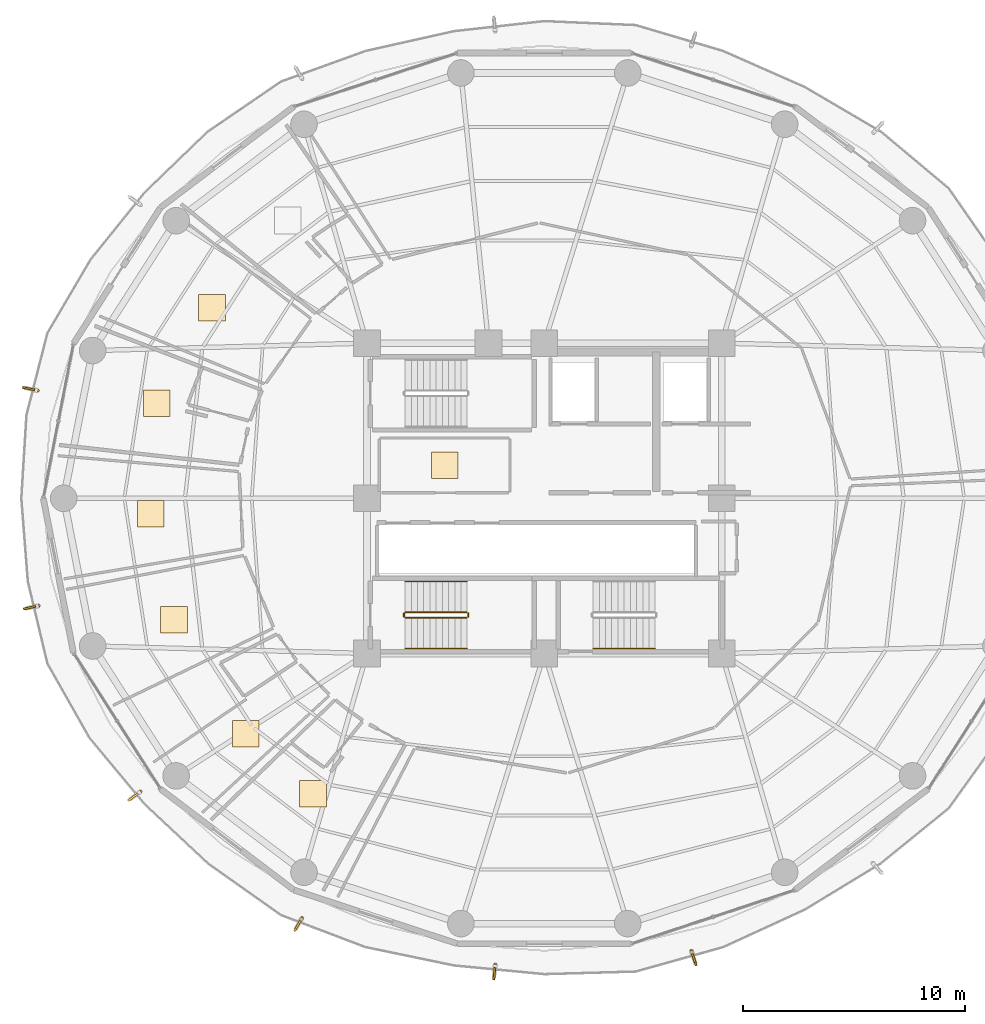
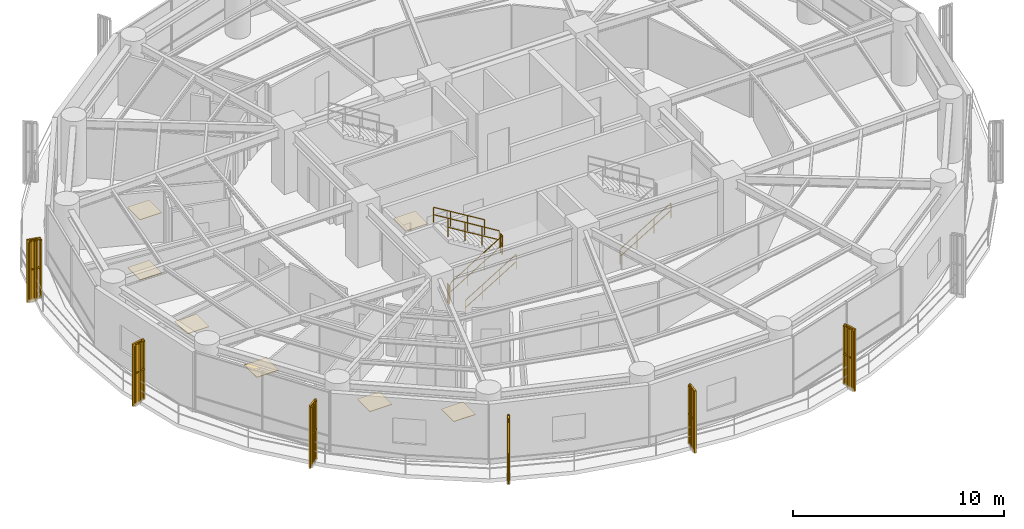
# One storey, part 26 of 28: 13 railings, 7 coverings, 6 shading devices.
"""IFC4 building model written with IfcOpenShell, lengths in metres."""

from ifc_helpers import new_model, si_unit, direction, frame, origin, origin_2d, place, context, subcontext, project, spatial, polyline, rectangle, outline, extrude, source, transform, mapped, material, layer, layer_set, type_object, element, save


model = new_model("IFC4")

# Units and contexts
model_context = context("Model", 3, precision=1e-05, world=origin(), true_north=direction((0.0, 1.0)))
body_context = subcontext(model_context, "Body", "Model", "MODEL_VIEW")
ifc_project = project(units=[si_unit("LENGTHUNIT", "METRE"), si_unit("AREAUNIT", "SQUARE_METRE"), si_unit("VOLUMEUNIT", "CUBIC_METRE"), si_unit("PLANEANGLEUNIT", "RADIAN"), si_unit("MASSUNIT", "GRAM", prefix="KILO")], contexts=[model_context])

# Site, building, storey
site_placement = place(None, origin())
site = spatial("IfcSite", under=ifc_project, at=site_placement, CompositionType="ELEMENT")
building_placement = place(site_placement, origin())
building = spatial("IfcBuilding", under=site, at=building_placement, Name="Kelanora Arch Commons", CompositionType="ELEMENT")
storey_placement = place(building_placement, frame((0.0, 0.0, 158.10009765625)))
storey = spatial("IfcBuildingStorey", under=building, at=storey_placement, Name="L40", CompositionType="ELEMENT", Elevation=158.10009765625)

# Railings
ifc_material_1 = material(Name="Anodised bronze vertical shading fin rib assembly")
railing_type_1 = type_object("IfcRailingType", Name="RAIL-FIN-BRZ", PredefinedType="BALUSTRADE", material=ifc_material_1)
railing_1_placement = place(storey_placement, frame((51.149658203125, 62.85693359375, -0.02001953125)))
element("IfcRailing", 1, at=railing_1_placement, inside=storey, type_object=railing_type_1, Name="Sweeping Bronze Vertical Fin Blade L40-07", PredefinedType="BALUSTRADE", context=body_context, shape_type="SweptSolid", body=[
    extrude(outline(polyline([(0.06982421875, 0.0), (0.034912109375, 0.060546875), (-0.034912109375, 0.060546875), (-0.06982421875, 0.0), (-0.034912109375, -0.060546875), (0.034912109375, -0.060546875), (0.06982421875, 0.0)])), frame((0.0, 0.0, 3.419921875), z_axis=(-0.978151112712, 0.207895167575, 0.0), x_axis=(-0.207895167575, -0.978151112712, 0.0)), (0.0, 0.0, 1.0), 0.561279296875),
    extrude(outline(polyline([(0.06982421875, 0.0), (0.034912109375, 0.060546875), (-0.034912109375, 0.060546875), (-0.06982421875, 0.0), (-0.034912109375, -0.060546875), (0.034912109375, -0.060546875), (0.06982421875, 0.0)])), frame((0.0, 0.0, 1.7451171875), z_axis=(-0.978151112712, 0.207895167575, 0.0), x_axis=(-0.207895167575, -0.978151112712, 0.0)), (0.0, 0.0, 1.0), 0.561279296875),
    extrude(outline(polyline([(0.080078125, 0.0), (0.0400390625, 0.0693359375), (-0.0400390625, 0.0693359375), (-0.080078125, 0.0), (-0.0400390625, -0.0693359375), (0.0400390625, -0.0693359375), (0.080078125, 0.0)])), origin(), (0.0, 0.0, 1.0), 3.35009765625),
    extrude(outline(polyline([(0.080078125, 0.0), (0.0400390625, 0.0693359375), (-0.0400390625, 0.0693359375), (-0.080078125, 0.0), (-0.0400390625, -0.0693359375), (0.0400390625, -0.0693359375), (0.080078125, 0.0)])), frame((-0.2744140625, 0.058349609375, 0.0)), (0.0, 0.0, 1.0), 3.35009765625),
    extrude(outline(polyline([(0.080078125, 0.0), (0.0400390625, 0.0693359375), (-0.0400390625, 0.0693359375), (-0.080078125, 0.0), (-0.0400390625, -0.0693359375), (0.0400390625, -0.0693359375), (0.080078125, 0.0)])), frame((-0.549072265625, 0.11669921875, 0.0)), (0.0, 0.0, 1.0), 3.35009765625),
])
railing_2_placement = place(storey_placement, frame((51.19189453125, 53.152099609375, -0.02001953125)))
element("IfcRailing", 2, at=railing_2_placement, inside=storey, type_object=railing_type_1, Name="Sweeping Bronze Vertical Fin Blade L40-08", PredefinedType="BALUSTRADE", context=body_context, shape_type="SweptSolid", body=[
    extrude(outline(polyline([(0.06982421875, 0.0), (0.034912109375, 0.060546875), (-0.034912109375, 0.060546875), (-0.06982421875, 0.0), (-0.034912109375, -0.060546875), (0.034912109375, -0.060546875), (0.06982421875, 0.0)])), frame((0.0, 0.0, 3.419921875), z_axis=(-0.978151112712, -0.207895167575, 0.0), x_axis=(0.207895167575, -0.978151112712, 0.0)), (0.0, 0.0, 1.0), 0.561279296875),
    extrude(outline(polyline([(0.06982421875, 0.0), (0.034912109375, 0.060546875), (-0.034912109375, 0.060546875), (-0.06982421875, 0.0), (-0.034912109375, -0.060546875), (0.034912109375, -0.060546875), (0.06982421875, 0.0)])), frame((0.0, 0.0, 1.7451171875), z_axis=(-0.978151112712, -0.207895167575, 0.0), x_axis=(0.207895167575, -0.978151112712, 0.0)), (0.0, 0.0, 1.0), 0.561279296875),
    extrude(outline(polyline([(0.080078125, 0.0), (0.0400390625, 0.0693359375), (-0.0400390625, 0.0693359375), (-0.080078125, 0.0), (-0.0400390625, -0.0693359375), (0.0400390625, -0.0693359375), (0.080078125, 0.0)])), origin(), (0.0, 0.0, 1.0), 3.35009765625),
    extrude(outline(polyline([(0.080078125, 0.0), (0.0400390625, 0.0693359375), (-0.0400390625, 0.0693359375), (-0.080078125, 0.0), (-0.0400390625, -0.0693359375), (0.0400390625, -0.0693359375), (0.080078125, 0.0)])), frame((-0.2744140625, -0.058349609375, 0.0)), (0.0, 0.0, 1.0), 3.35009765625),
    extrude(outline(polyline([(0.080078125, 0.0), (0.0400390625, 0.0693359375), (-0.0400390625, 0.0693359375), (-0.080078125, 0.0), (-0.0400390625, -0.0693359375), (0.0400390625, -0.0693359375), (0.080078125, 0.0)])), frame((-0.549072265625, -0.11669921875, 0.0)), (0.0, 0.0, 1.0), 3.35009765625),
])
railing_3_placement = place(storey_placement, frame((55.786865234375, 44.767333984375, -0.02001953125)))
element("IfcRailing", 3, at=railing_3_placement, inside=storey, type_object=railing_type_1, Name="Sweeping Bronze Vertical Fin Blade L40-09", PredefinedType="BALUSTRADE", context=body_context, shape_type="SweptSolid", body=[
    extrude(outline(polyline([(0.06982421875, 0.0), (0.034912109375, 0.060546875), (-0.034912109375, 0.060546875), (-0.06982421875, 0.0), (-0.034912109375, -0.060546875), (0.034912109375, -0.060546875), (0.06982421875, 0.0)])), frame((0.0, 0.0, 3.419921875), z_axis=(-0.809093337457, -0.587680160702, 0.0), x_axis=(0.587680160702, -0.809093337457, 0.0)), (0.0, 0.0, 1.0), 0.561279296875),
    extrude(outline(polyline([(0.06982421875, 0.0), (0.034912109375, 0.060546875), (-0.034912109375, 0.060546875), (-0.06982421875, 0.0), (-0.034912109375, -0.060546875), (0.034912109375, -0.060546875), (0.06982421875, 0.0)])), frame((0.0, 0.0, 1.7451171875), z_axis=(-0.809093337457, -0.587680160702, 0.0), x_axis=(0.587680160702, -0.809093337457, 0.0)), (0.0, 0.0, 1.0), 0.561279296875),
    extrude(outline(polyline([(0.080078125, 0.0), (0.0400390625, 0.0693359375), (-0.0400390625, 0.0693359375), (-0.080078125, 0.0), (-0.0400390625, -0.0693359375), (0.0400390625, -0.0693359375), (0.080078125, 0.0)])), origin(), (0.0, 0.0, 1.0), 3.35009765625),
    extrude(outline(polyline([(0.080078125, 0.0), (0.0400390625, 0.0693359375), (-0.0400390625, 0.0693359375), (-0.080078125, 0.0), (-0.0400390625, -0.0693359375), (0.0400390625, -0.0693359375), (0.080078125, 0.0)])), frame((-0.22705078125, -0.1650390625, 0.0)), (0.0, 0.0, 1.0), 3.35009765625),
    extrude(outline(polyline([(0.080078125, 0.0), (0.0400390625, 0.0693359375), (-0.0400390625, 0.0693359375), (-0.080078125, 0.0), (-0.0400390625, -0.0693359375), (0.0400390625, -0.0693359375), (0.080078125, 0.0)])), frame((-0.4541015625, -0.329833984375, 0.0)), (0.0, 0.0, 1.0), 3.35009765625),
])
railing_4_placement = place(storey_placement, frame((63.073974609375, 39.075439453125, -0.02001953125)))
element("IfcRailing", 4, at=railing_4_placement, inside=storey, type_object=railing_type_1, Name="Sweeping Bronze Vertical Fin Blade L40-10", PredefinedType="BALUSTRADE", context=body_context, shape_type="SweptSolid", body=[
    extrude(outline(polyline([(0.06982421875, 0.0), (0.034912109375, 0.060546875), (-0.034912109375, 0.060546875), (-0.06982421875, 0.0), (-0.034912109375, -0.060546875), (0.034912109375, -0.060546875), (0.06982421875, 0.0)])), frame((0.0, 0.0, 3.419921875), z_axis=(-0.499973348067, -0.866040790738, 0.0), x_axis=(0.866040790738, -0.499973348067, 0.0)), (0.0, 0.0, 1.0), 0.5615234375),
    extrude(outline(polyline([(0.06982421875, 0.0), (0.034912109375, 0.060546875), (-0.034912109375, 0.060546875), (-0.06982421875, 0.0), (-0.034912109375, -0.060546875), (0.034912109375, -0.060546875), (0.06982421875, 0.0)])), frame((0.0, 0.0, 1.7451171875), z_axis=(-0.499973348067, -0.866040790738, 0.0), x_axis=(0.866040790738, -0.499973348067, 0.0)), (0.0, 0.0, 1.0), 0.5615234375),
    extrude(outline(polyline([(0.080078125, 0.0), (0.0400390625, 0.0693359375), (-0.0400390625, 0.0693359375), (-0.080078125, 0.0), (-0.0400390625, -0.0693359375), (0.0400390625, -0.0693359375), (0.080078125, 0.0)])), origin(), (0.0, 0.0, 1.0), 3.35009765625),
    extrude(outline(polyline([(0.080078125, 0.0), (0.0400390625, 0.0693359375), (-0.0400390625, 0.0693359375), (-0.080078125, 0.0), (-0.0400390625, -0.0693359375), (0.0400390625, -0.0693359375), (0.080078125, 0.0)])), frame((-0.140380859375, -0.2431640625, 0.0)), (0.0, 0.0, 1.0), 3.35009765625),
    extrude(outline(polyline([(0.080078125, 0.0), (0.0400390625, 0.0693359375), (-0.0400390625, 0.0693359375), (-0.080078125, 0.0), (-0.0400390625, -0.0693359375), (0.0400390625, -0.0693359375), (0.080078125, 0.0)])), frame((-0.28076171875, -0.486328125, 0.0)), (0.0, 0.0, 1.0), 3.35009765625),
])
railing_5_placement = place(storey_placement, frame((71.7900390625, 36.9736328125, -0.02001953125)))
element("IfcRailing", 5, at=railing_5_placement, inside=storey, type_object=railing_type_1, Name="Sweeping Bronze Vertical Fin Blade L40-11", PredefinedType="BALUSTRADE", context=body_context, shape_type="SweptSolid", body=[
    extrude(outline(polyline([(0.06982421875, 0.0), (0.034912109375, 0.060546875), (-0.034912109375, 0.060546875), (-0.06982421875, 0.0), (-0.034912109375, -0.060546875), (0.034912109375, -0.060546875), (0.06982421875, 0.0)])), frame((0.0, 0.0, 3.419921875), z_axis=(-0.104367863089, -0.994538762017, 0.0), x_axis=(0.994538762017, -0.104367863089, 0.0)), (0.0, 0.0, 1.0), 0.5615234375),
    extrude(outline(polyline([(0.06982421875, 0.0), (0.034912109375, 0.060546875), (-0.034912109375, 0.060546875), (-0.06982421875, 0.0), (-0.034912109375, -0.060546875), (0.034912109375, -0.060546875), (0.06982421875, 0.0)])), frame((0.0, 0.0, 1.7451171875), z_axis=(-0.104367863089, -0.994538762017, 0.0), x_axis=(0.994538762017, -0.104367863089, 0.0)), (0.0, 0.0, 1.0), 0.5615234375),
    extrude(outline(polyline([(0.080078125, 0.0), (0.0400390625, 0.0693359375), (-0.0400390625, 0.0693359375), (-0.080078125, 0.0), (-0.0400390625, -0.0693359375), (0.0400390625, -0.0693359375), (0.080078125, 0.0)])), origin(), (0.0, 0.0, 1.0), 3.35009765625),
    extrude(outline(polyline([(0.080078125, 0.0), (0.0400390625, 0.0693359375), (-0.0400390625, 0.0693359375), (-0.080078125, 0.0), (-0.0400390625, -0.0693359375), (0.0400390625, -0.0693359375), (0.080078125, 0.0)])), frame((-0.029296875, -0.279296875, 0.0)), (0.0, 0.0, 1.0), 3.35009765625),
    extrude(outline(polyline([(0.080078125, 0.0), (0.0400390625, 0.0693359375), (-0.0400390625, 0.0693359375), (-0.080078125, 0.0), (-0.0400390625, -0.0693359375), (0.0400390625, -0.0693359375), (0.080078125, 0.0)])), frame((-0.05859375, -0.558349609375, 0.0)), (0.0, 0.0, 1.0), 3.35009765625),
])
railing_6_placement = place(storey_placement, frame((80.632568359375, 37.587158203125, -0.02001953125)))
element("IfcRailing", 6, at=railing_6_placement, inside=storey, type_object=railing_type_1, Name="Sweeping Bronze Vertical Fin Blade L40-12", PredefinedType="BALUSTRADE", context=body_context, shape_type="SweptSolid", body=[
    extrude(outline(polyline([(0.06982421875, 0.0), (0.034912109375, 0.060546875), (-0.034912109375, 0.060546875), (-0.06982421875, 0.0), (-0.034912109375, -0.060546875), (0.034912109375, -0.060546875), (0.06982421875, 0.0)])), frame((0.0, 0.0, 3.419921875), z_axis=(0.308781206343, -0.951133096159, 0.0), x_axis=(0.951133096159, 0.308781206343, 0.0)), (0.0, 0.0, 1.0), 0.561279296875),
    extrude(outline(polyline([(0.06982421875, 0.0), (0.034912109375, 0.060546875), (-0.034912109375, 0.060546875), (-0.06982421875, 0.0), (-0.034912109375, -0.060546875), (0.034912109375, -0.060546875), (0.06982421875, 0.0)])), frame((0.0, 0.0, 1.7451171875), z_axis=(0.308781206343, -0.951133096159, 0.0), x_axis=(0.951133096159, 0.308781206343, 0.0)), (0.0, 0.0, 1.0), 0.561279296875),
    extrude(outline(polyline([(0.080078125, 0.0), (0.0400390625, 0.0693359375), (-0.0400390625, 0.0693359375), (-0.080078125, 0.0), (-0.0400390625, -0.0693359375), (0.0400390625, -0.0693359375), (0.080078125, 0.0)])), origin(), (0.0, 0.0, 1.0), 3.35009765625),
    extrude(outline(polyline([(0.080078125, 0.0), (0.0400390625, 0.0693359375), (-0.0400390625, 0.0693359375), (-0.080078125, 0.0), (-0.0400390625, -0.0693359375), (0.0400390625, -0.0693359375), (0.080078125, 0.0)])), frame((0.086669921875, -0.26708984375, 0.0)), (0.0, 0.0, 1.0), 3.35009765625),
    extrude(outline(polyline([(0.080078125, 0.0), (0.0400390625, 0.0693359375), (-0.0400390625, 0.0693359375), (-0.080078125, 0.0), (-0.0400390625, -0.0693359375), (0.0400390625, -0.0693359375), (0.080078125, 0.0)])), frame((0.17333984375, -0.533935546875, 0.0)), (0.0, 0.0, 1.0), 3.35009765625),
])
ifc_material_2 = material(Name="Painted steel stair well guard", Category="steel")
railing_type_2 = type_object("IfcRailingType", Name="RAIL-STAIR-GRD", PredefinedType="GUARDRAIL", material=ifc_material_2)
railing_7_placement = place(storey_placement, frame((67.719970703125, 52.610107421875, 0.17041015625)))
element("IfcRailing", 7, at=railing_7_placement, inside=storey, type_object=railing_type_2, Name="L40 ST-T3 stair guard 1", PredefinedType="GUARDRAIL", context=body_context, shape_type="SweptSolid", body=[
    extrude(outline(polyline([(0.02392578125, 0.0), (0.011962890625, 0.020751953125), (-0.011962890625, 0.020751953125), (-0.02392578125, 0.0), (-0.011962890625, -0.020751953125), (0.011962890625, -0.020751953125), (0.02392578125, 0.0)])), frame((0.0, 0.0, 1.076171875), z_axis=(0.854169791009, 0.0, 0.51999420009), x_axis=(0.0, 1.0, 0.0)), (0.0, 0.0, 1.0), 3.278076171875),
    extrude(outline(polyline([(0.02392578125, 0.0), (0.011962890625, 0.020751953125), (-0.011962890625, 0.020751953125), (-0.02392578125, 0.0), (-0.011962890625, -0.020751953125), (0.011962890625, -0.020751953125), (0.02392578125, 0.0)])), frame((0.0, 0.0, 0.550048828125), z_axis=(0.854169791009, 0.0, 0.51999420009), x_axis=(0.0, 1.0, 0.0)), (0.0, 0.0, 1.0), 3.278076171875),
    extrude(outline(polyline([(0.02099609375, 0.0), (0.010498046875, 0.01806640625), (-0.010498046875, 0.01806640625), (-0.02099609375, 0.0), (-0.010498046875, -0.01806640625), (0.010498046875, -0.01806640625), (0.02099609375, 0.0)])), origin(), (0.0, 0.0, 1.0), 1.052001953125),
    extrude(outline(polyline([(0.02099609375, 0.0), (0.010498046875, 0.01806640625), (-0.010498046875, 0.01806640625), (-0.02099609375, 0.0), (-0.010498046875, -0.01806640625), (0.010498046875, -0.01806640625), (0.02099609375, 0.0)])), frame((0.933349609375, 0.0, 0.568115234375)), (0.0, 0.0, 1.0), 1.052001953125),
    extrude(outline(polyline([(0.02099609375, 0.0), (0.010498046875, 0.01806640625), (-0.010498046875, 0.01806640625), (-0.02099609375, 0.0), (-0.010498046875, -0.01806640625), (0.010498046875, -0.01806640625), (0.02099609375, 0.0)])), frame((1.86669921875, 0.0, 1.136474609375)), (0.0, 0.0, 1.0), 1.052001953125),
    extrude(outline(polyline([(0.02099609375, 0.0), (0.010498046875, 0.01806640625), (-0.010498046875, 0.01806640625), (-0.02099609375, 0.0), (-0.010498046875, -0.01806640625), (0.010498046875, -0.01806640625), (0.02099609375, 0.0)])), frame((2.800048828125, 0.0, 1.70458984375)), (0.0, 0.0, 1.0), 1.052001953125),
])
railing_8_placement = place(storey_placement, frame((70.570068359375, 52.659912109375, 1.875)))
element("IfcRailing", 8, at=railing_8_placement, inside=storey, type_object=railing_type_2, Name="L40 ST-T3 stair guard 2", PredefinedType="GUARDRAIL", context=body_context, shape_type="SweptSolid", body=[
    extrude(outline(polyline([(0.02392578125, 0.0), (0.011962890625, 0.020751953125), (-0.011962890625, 0.020751953125), (-0.02392578125, 0.0), (-0.011962890625, -0.020751953125), (0.011962890625, -0.020751953125), (0.02392578125, 0.0)])), frame((0.0, 0.0, 1.076171875), z_axis=(0.0, 1.0, 0.0), x_axis=(-1.0, 0.0, 0.0)), (0.0, 0.0, 1.0), 0.150146484375),
    extrude(outline(polyline([(0.02392578125, 0.0), (0.011962890625, 0.020751953125), (-0.011962890625, 0.020751953125), (-0.02392578125, 0.0), (-0.011962890625, -0.020751953125), (0.011962890625, -0.020751953125), (0.02392578125, 0.0)])), frame((0.0, 0.0, 0.550048828125), z_axis=(0.0, 1.0, 0.0), x_axis=(-1.0, 0.0, 0.0)), (0.0, 0.0, 1.0), 0.150146484375),
    extrude(outline(polyline([(0.02099609375, 0.0), (0.010498046875, 0.01806640625), (-0.010498046875, 0.01806640625), (-0.02099609375, 0.0), (-0.010498046875, -0.01806640625), (0.010498046875, -0.01806640625), (0.02099609375, 0.0)])), origin(), (0.0, 0.0, 1.0), 1.052001953125),
    extrude(outline(polyline([(0.02099609375, 0.0), (0.010498046875, 0.01806640625), (-0.010498046875, 0.01806640625), (-0.02099609375, 0.0), (-0.010498046875, -0.01806640625), (0.010498046875, -0.01806640625), (0.02099609375, 0.0)])), frame((0.0, 0.150146484375, 0.0)), (0.0, 0.0, 1.0), 1.052001953125),
])
railing_9_placement = place(storey_placement, frame((70.52001953125, 52.860107421875, 2.04541015625)))
element("IfcRailing", 9, at=railing_9_placement, inside=storey, type_object=railing_type_2, Name="L40 ST-T3 stair guard 3", PredefinedType="GUARDRAIL", context=body_context, shape_type="SweptSolid", body=[
    extrude(outline(polyline([(0.02392578125, 0.0), (0.011962890625, 0.020751953125), (-0.011962890625, 0.020751953125), (-0.02392578125, 0.0), (-0.011962890625, -0.020751953125), (0.011962890625, -0.020751953125), (0.02392578125, 0.0)])), frame((0.0, 0.0, 1.076171875), z_axis=(-0.854169791009, 0.0, 0.51999420009), x_axis=(0.0, -1.0, 0.0)), (0.0, 0.0, 1.0), 3.278076171875),
    extrude(outline(polyline([(0.02392578125, 0.0), (0.011962890625, 0.020751953125), (-0.011962890625, 0.020751953125), (-0.02392578125, 0.0), (-0.011962890625, -0.020751953125), (0.011962890625, -0.020751953125), (0.02392578125, 0.0)])), frame((0.0, 0.0, 0.550048828125), z_axis=(-0.854169791009, 0.0, 0.51999420009), x_axis=(0.0, -1.0, 0.0)), (0.0, 0.0, 1.0), 3.278076171875),
    extrude(outline(polyline([(0.02099609375, 0.0), (0.010498046875, 0.01806640625), (-0.010498046875, 0.01806640625), (-0.02099609375, 0.0), (-0.010498046875, -0.01806640625), (0.010498046875, -0.01806640625), (0.02099609375, 0.0)])), origin(), (0.0, 0.0, 1.0), 1.052001953125),
    extrude(outline(polyline([(0.02099609375, 0.0), (0.010498046875, 0.01806640625), (-0.010498046875, 0.01806640625), (-0.02099609375, 0.0), (-0.010498046875, -0.01806640625), (0.010498046875, -0.01806640625), (0.02099609375, 0.0)])), frame((-0.933349609375, 0.0, 0.568115234375)), (0.0, 0.0, 1.0), 1.052001953125),
    extrude(outline(polyline([(0.02099609375, 0.0), (0.010498046875, 0.01806640625), (-0.010498046875, 0.01806640625), (-0.02099609375, 0.0), (-0.010498046875, -0.01806640625), (0.010498046875, -0.01806640625), (0.02099609375, 0.0)])), frame((-1.86669921875, 0.0, 1.136474609375)), (0.0, 0.0, 1.0), 1.052001953125),
    extrude(outline(polyline([(0.02099609375, 0.0), (0.010498046875, 0.01806640625), (-0.010498046875, 0.01806640625), (-0.02099609375, 0.0), (-0.010498046875, -0.01806640625), (0.010498046875, -0.01806640625), (0.02099609375, 0.0)])), frame((-2.800048828125, 0.0, 1.70458984375)), (0.0, 0.0, 1.0), 1.052001953125),
])
railing_10_placement = place(storey_placement, frame((67.669921875, 52.659912109375, 0.0)))
element("IfcRailing", 10, at=railing_10_placement, inside=storey, type_object=railing_type_2, Name="L40 ST-T3 stair guard 4", PredefinedType="GUARDRAIL", context=body_context, shape_type="SweptSolid", body=[
    extrude(outline(polyline([(0.02392578125, 0.0), (0.011962890625, 0.020751953125), (-0.011962890625, 0.020751953125), (-0.02392578125, 0.0), (-0.011962890625, -0.020751953125), (0.011962890625, -0.020751953125), (0.02392578125, 0.0)])), frame((0.0, 0.0, 1.076171875), z_axis=(0.0, 1.0, 0.0), x_axis=(-1.0, 0.0, 0.0)), (0.0, 0.0, 1.0), 0.150146484375),
    extrude(outline(polyline([(0.02392578125, 0.0), (0.011962890625, 0.020751953125), (-0.011962890625, 0.020751953125), (-0.02392578125, 0.0), (-0.011962890625, -0.020751953125), (0.011962890625, -0.020751953125), (0.02392578125, 0.0)])), frame((0.0, 0.0, 0.550048828125), z_axis=(0.0, 1.0, 0.0), x_axis=(-1.0, 0.0, 0.0)), (0.0, 0.0, 1.0), 0.150146484375),
    extrude(outline(polyline([(0.02099609375, 0.0), (0.010498046875, 0.01806640625), (-0.010498046875, 0.01806640625), (-0.02099609375, 0.0), (-0.010498046875, -0.01806640625), (0.010498046875, -0.01806640625), (0.02099609375, 0.0)])), origin(), (0.0, 0.0, 1.0), 1.052001953125),
    extrude(outline(polyline([(0.02099609375, 0.0), (0.010498046875, 0.01806640625), (-0.010498046875, 0.01806640625), (-0.02099609375, 0.0), (-0.010498046875, -0.01806640625), (0.010498046875, -0.01806640625), (0.02099609375, 0.0)])), frame((0.0, 0.150146484375, 0.0)), (0.0, 0.0, 1.0), 1.052001953125),
])
ifc_material_3 = material(Name="Brushed stainless steel stair handrail", Category="steel")
railing_type_3 = type_object("IfcRailingType", Name="RAIL-STAIR-HND", PredefinedType="HANDRAIL", material=ifc_material_3)
railing_11_placement = place(storey_placement, frame((76.199951171875, 51.22998046875, 0.17041015625)))
element("IfcRailing", 11, at=railing_11_placement, inside=storey, type_object=railing_type_3, Name="L40 ST-T2 stair handrail 1", PredefinedType="HANDRAIL", context=body_context, shape_type="SweptSolid", body=[
    extrude(outline(polyline([(0.02392578125, 0.0), (0.011962890625, 0.020751953125), (-0.011962890625, 0.020751953125), (-0.02392578125, 0.0), (-0.011962890625, -0.020751953125), (0.011962890625, -0.020751953125), (0.02392578125, 0.0)])), frame((0.0, 0.0, 0.8759765625), z_axis=(0.854169791009, 0.0, 0.51999420009), x_axis=(0.0, 1.0, 0.0)), (0.0, 0.0, 1.0), 3.278076171875),
    extrude(outline(polyline([(0.02392578125, 0.0), (0.011962890625, 0.020751953125), (-0.011962890625, 0.020751953125), (-0.02392578125, 0.0), (-0.011962890625, -0.020751953125), (0.011962890625, -0.020751953125), (0.02392578125, 0.0)])), frame((0.0, 0.0, 0.449951171875), z_axis=(0.854169791009, 0.0, 0.51999420009), x_axis=(0.0, 1.0, 0.0)), (0.0, 0.0, 1.0), 3.278076171875),
    extrude(outline(polyline([(0.02099609375, 0.0), (0.010498046875, 0.01806640625), (-0.010498046875, 0.01806640625), (-0.02099609375, 0.0), (-0.010498046875, -0.01806640625), (0.010498046875, -0.01806640625), (0.02099609375, 0.0)])), origin(), (0.0, 0.0, 1.0), 0.851806640625),
    extrude(outline(polyline([(0.02099609375, 0.0), (0.010498046875, 0.01806640625), (-0.010498046875, 0.01806640625), (-0.02099609375, 0.0), (-0.010498046875, -0.01806640625), (0.010498046875, -0.01806640625), (0.02099609375, 0.0)])), frame((0.933349609375, 0.0, 0.568115234375)), (0.0, 0.0, 1.0), 0.851806640625),
    extrude(outline(polyline([(0.02099609375, 0.0), (0.010498046875, 0.01806640625), (-0.010498046875, 0.01806640625), (-0.02099609375, 0.0), (-0.010498046875, -0.01806640625), (0.010498046875, -0.01806640625), (0.02099609375, 0.0)])), frame((1.86669921875, 0.0, 1.136474609375)), (0.0, 0.0, 1.0), 0.851806640625),
    extrude(outline(polyline([(0.02099609375, 0.0), (0.010498046875, 0.01806640625), (-0.010498046875, 0.01806640625), (-0.02099609375, 0.0), (-0.010498046875, -0.01806640625), (0.010498046875, -0.01806640625), (0.02099609375, 0.0)])), frame((2.800048828125, 0.0, 1.70458984375)), (0.0, 0.0, 1.0), 0.851806640625),
])
railing_12_placement = place(storey_placement, frame((67.719970703125, 51.22998046875, 0.17041015625)))
element("IfcRailing", 12, at=railing_12_placement, inside=storey, type_object=railing_type_3, Name="L40 ST-T3 stair handrail 1", PredefinedType="HANDRAIL", context=body_context, shape_type="SweptSolid", body=[
    extrude(outline(polyline([(0.02392578125, 0.0), (0.011962890625, 0.020751953125), (-0.011962890625, 0.020751953125), (-0.02392578125, 0.0), (-0.011962890625, -0.020751953125), (0.011962890625, -0.020751953125), (0.02392578125, 0.0)])), frame((0.0, 0.0, 0.8759765625), z_axis=(0.854169791009, 0.0, 0.51999420009), x_axis=(0.0, 1.0, 0.0)), (0.0, 0.0, 1.0), 3.278076171875),
    extrude(outline(polyline([(0.02392578125, 0.0), (0.011962890625, 0.020751953125), (-0.011962890625, 0.020751953125), (-0.02392578125, 0.0), (-0.011962890625, -0.020751953125), (0.011962890625, -0.020751953125), (0.02392578125, 0.0)])), frame((0.0, 0.0, 0.449951171875), z_axis=(0.854169791009, 0.0, 0.51999420009), x_axis=(0.0, 1.0, 0.0)), (0.0, 0.0, 1.0), 3.278076171875),
    extrude(outline(polyline([(0.02099609375, 0.0), (0.010498046875, 0.01806640625), (-0.010498046875, 0.01806640625), (-0.02099609375, 0.0), (-0.010498046875, -0.01806640625), (0.010498046875, -0.01806640625), (0.02099609375, 0.0)])), origin(), (0.0, 0.0, 1.0), 0.851806640625),
    extrude(outline(polyline([(0.02099609375, 0.0), (0.010498046875, 0.01806640625), (-0.010498046875, 0.01806640625), (-0.02099609375, 0.0), (-0.010498046875, -0.01806640625), (0.010498046875, -0.01806640625), (0.02099609375, 0.0)])), frame((0.933349609375, 0.0, 0.568115234375)), (0.0, 0.0, 1.0), 0.851806640625),
    extrude(outline(polyline([(0.02099609375, 0.0), (0.010498046875, 0.01806640625), (-0.010498046875, 0.01806640625), (-0.02099609375, 0.0), (-0.010498046875, -0.01806640625), (0.010498046875, -0.01806640625), (0.02099609375, 0.0)])), frame((1.86669921875, 0.0, 1.136474609375)), (0.0, 0.0, 1.0), 0.851806640625),
    extrude(outline(polyline([(0.02099609375, 0.0), (0.010498046875, 0.01806640625), (-0.010498046875, 0.01806640625), (-0.02099609375, 0.0), (-0.010498046875, -0.01806640625), (0.010498046875, -0.01806640625), (0.02099609375, 0.0)])), frame((2.800048828125, 0.0, 1.70458984375)), (0.0, 0.0, 1.0), 0.851806640625),
])
railing_13_placement = place(storey_placement, frame((70.52001953125, 54.239990234375, 2.04541015625)))
element("IfcRailing", 13, at=railing_13_placement, inside=storey, type_object=railing_type_3, Name="L40 ST-T3 stair handrail 2", PredefinedType="HANDRAIL", context=body_context, shape_type="SweptSolid", body=[
    extrude(outline(polyline([(0.02392578125, 0.0), (0.011962890625, 0.020751953125), (-0.011962890625, 0.020751953125), (-0.02392578125, 0.0), (-0.011962890625, -0.020751953125), (0.011962890625, -0.020751953125), (0.02392578125, 0.0)])), frame((0.0, 0.0, 0.8759765625), z_axis=(-0.854169791009, 0.0, 0.51999420009), x_axis=(0.0, -1.0, 0.0)), (0.0, 0.0, 1.0), 3.278076171875),
    extrude(outline(polyline([(0.02392578125, 0.0), (0.011962890625, 0.020751953125), (-0.011962890625, 0.020751953125), (-0.02392578125, 0.0), (-0.011962890625, -0.020751953125), (0.011962890625, -0.020751953125), (0.02392578125, 0.0)])), frame((0.0, 0.0, 0.449951171875), z_axis=(-0.854169791009, 0.0, 0.51999420009), x_axis=(0.0, -1.0, 0.0)), (0.0, 0.0, 1.0), 3.278076171875),
    extrude(outline(polyline([(0.02099609375, 0.0), (0.010498046875, 0.01806640625), (-0.010498046875, 0.01806640625), (-0.02099609375, 0.0), (-0.010498046875, -0.01806640625), (0.010498046875, -0.01806640625), (0.02099609375, 0.0)])), origin(), (0.0, 0.0, 1.0), 0.851806640625),
    extrude(outline(polyline([(0.02099609375, 0.0), (0.010498046875, 0.01806640625), (-0.010498046875, 0.01806640625), (-0.02099609375, 0.0), (-0.010498046875, -0.01806640625), (0.010498046875, -0.01806640625), (0.02099609375, 0.0)])), frame((-0.933349609375, 0.0, 0.568115234375)), (0.0, 0.0, 1.0), 0.851806640625),
    extrude(outline(polyline([(0.02099609375, 0.0), (0.010498046875, 0.01806640625), (-0.010498046875, 0.01806640625), (-0.02099609375, 0.0), (-0.010498046875, -0.01806640625), (0.010498046875, -0.01806640625), (0.02099609375, 0.0)])), frame((-1.86669921875, 0.0, 1.136474609375)), (0.0, 0.0, 1.0), 0.851806640625),
    extrude(outline(polyline([(0.02099609375, 0.0), (0.010498046875, 0.01806640625), (-0.010498046875, 0.01806640625), (-0.02099609375, 0.0), (-0.010498046875, -0.01806640625), (0.010498046875, -0.01806640625), (0.02099609375, 0.0)])), frame((-2.800048828125, 0.0, 1.70458984375)), (0.0, 0.0, 1.0), 0.851806640625),
])

# Shading devices
ifc_material_4 = material(Name="Terracotta ceramic-clad extruded aluminium fin", Category="masonry")
shading_device_type = type_object("IfcShadingDeviceType", Name="SHD-FIN-WAIST", PredefinedType="USERDEFINED", material=ifc_material_4)
shared_shape_1 = source(origin(), body_context, "Body", "SweptSolid", [
    extrude(rectangle(XDim=0.56005859375, YDim=0.090087890625, at=origin_2d()), origin(), (0.0, 0.0, 1.0), 3.610107421875),
])
for number, where, z_axis, x_axis, name in (
    (14, (50.738037109375, 62.944580078125, -0.14013671875), (0.0, 0.0, 1.0), (-0.978147600734, 0.207911690818, 0.0), "Sweeping Terracotta Fin L40-07"),
    (15, (50.780517578125, 53.064453125, -0.14013671875), (0.0, 0.0, 1.0), (-0.978147600734, -0.207911690818, 0.0), "Sweeping Terracotta Fin L40-08"),
    (16, (55.446533203125, 44.52001953125, -0.14013671875), (0.0, 0.0, 1.0), (-0.809016994375, -0.587785252292, 0.0), "Sweeping Terracotta Fin L40-09"),
    (17, (62.863525390625, 38.711181640625, -0.14013671875), (0.0, 0.0, 1.0), (-0.5, -0.866025403784, 0.0), "Sweeping Terracotta Fin L40-10"),
    (18, (71.74609375, 36.55517578125, -0.14013671875), (0.0, 0.0, 1.0), (-0.104528463268, -0.994521895368, 0.0), "Sweeping Terracotta Fin L40-11"),
    (19, (80.7626953125, 37.18701171875, -0.14013671875), (0.0, 0.0, 1.0), (0.309016994375, -0.951056516295, 0.0), "Sweeping Terracotta Fin L40-12"),
):
    element("IfcShadingDevice", number, at=place(storey_placement, frame(where, z_axis=z_axis, x_axis=x_axis)), inside=storey, type_object=shading_device_type, Name=name, ObjectType="FIN", PredefinedType="USERDEFINED", context=body_context, shape_type="MappedRepresentation", body=[
        mapped(shared_shape_1, transform((0.0, 0.0, 0.0), scale=1.0)),
    ])

# Coverings
ifc_material_5 = material(Name="Polished local granite terrazzo flooring", Category="masonry")
ifc_layer = layer(ifc_material_5, 0.030029296875)
ifc_layer_set = layer_set([ifc_layer], Name="Polished local granite terrazzo flooring")
covering_type = type_object("IfcCoveringType", Name="COV-FLR-TER", PredefinedType="FLOORING", material=ifc_layer_set)
shared_shape_2 = source(origin(), body_context, "Body", "SweptSolid", [
    extrude(rectangle(XDim=1.199951171875, YDim=1.199951171875, at=origin_2d()), origin(), (0.0, 0.0, 1.0), 0.030029296875),
])
for number, where, z_axis, x_axis, name in (
    (20, (69.5, 59.485107421875, 0.0), (0.0, 0.0, 1.0), (1.0, 0.0, 0.0), "Reclaimed Core Study Pod Lounge L40 Terrazzo Finish"),
    (21, (59.010986328125, 66.601318359375, 0.0), (0.0, 0.0, 1.0), (1.0, 0.0, 0.0), "Shared Cluster Kitchen L40-02 Terrazzo Finish"),
    (22, (56.527099609375, 62.281005859375, 0.0), (0.0, 0.0, 1.0), (1.0, 0.0, 0.0), "Cluster Bedroom L40-03 Terrazzo Finish"),
    (23, (56.2392578125, 57.302490234375, 0.0), (0.0, 0.0, 1.0), (1.0, 0.0, 0.0), "Quiet Seminar Study Room L40-04 Terrazzo Finish"),
    (24, (57.295654296875, 52.525390625, 0.0), (0.0, 0.0, 1.0), (1.0, 0.0, 0.0), "Social Sky Lounge L40-05 Terrazzo Finish"),
    (25, (60.534423828125, 47.384521484375, 0.0), (0.0, 0.0, 1.0), (1.0, 0.0, 0.0), "Tutorial Study Alcove L40-06 Terrazzo Finish"),
    (26, (63.568115234375, 44.680908203125, 0.0), (0.0, 0.0, 1.0), (1.0, 0.0, 0.0), "Cluster Bedroom L40-07 Terrazzo Finish"),
):
    element("IfcCovering", number, at=place(storey_placement, frame(where, z_axis=z_axis, x_axis=x_axis)), inside=storey, type_object=covering_type, Name=name, PredefinedType="FLOORING", context=body_context, shape_type="MappedRepresentation", body=[
        mapped(shared_shape_2, transform((0.0, 0.0, 0.0), scale=1.0)),
    ])

save(model, "model.ifc")
